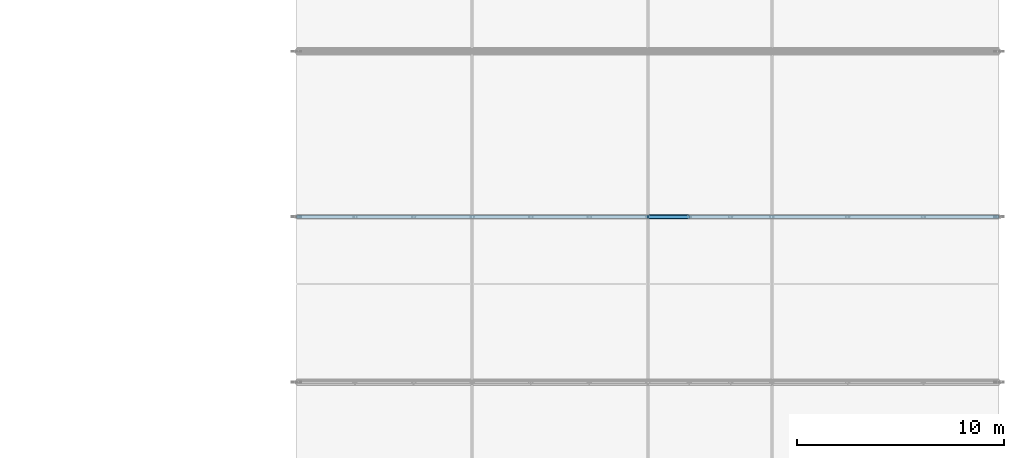
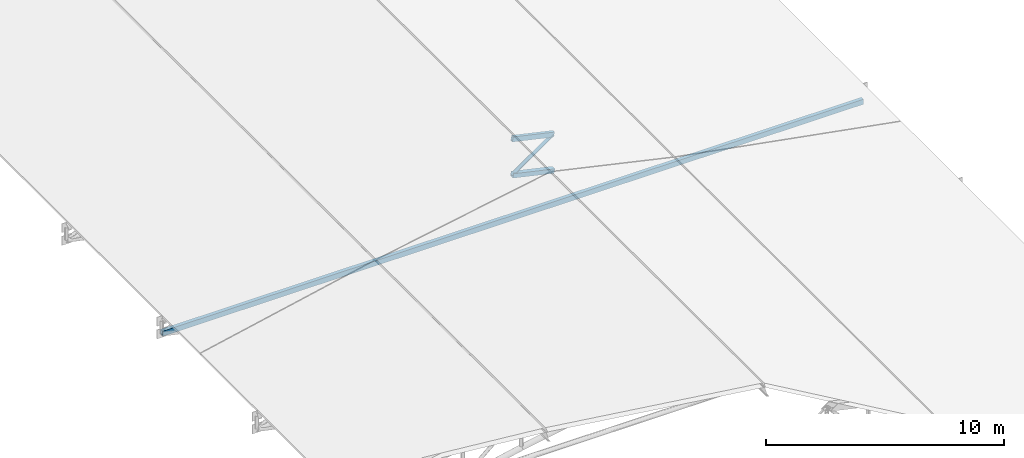
# One storey, part 11 of 28: 3 members, 1 beam.
"""IFC4 building model written with IfcOpenShell, lengths in metres."""

import ifcopenshell
import ifcopenshell.guid

model = None  # the IFC model being written
_history = None  # IfcOwnerHistory: only IFC2X3 demands one
_inside = {}  # id of a spatial element -> (the spatial element, [elements in it])
_under = {}  # id of a project, library or spatial element -> (it, [spatial elements below it])
_declared = {}  # id of a project -> (the project, [libraries it declares])
_typed = {}  # id of a type object -> (the type object, [elements of that type])
_made_of = {}  # id of a material, layer set ... -> (it, [elements and type objects made of it])


def new_model(schema):
    """Start an empty IFC model of exactly this schema.

    Asked for "IFC4X3", IfcOpenShell would pick the latest addendum, in which some entities
    have other attributes; the version numbers below select the first issue.
    IFC2X3 requires an IfcOwnerHistory on every rooted entity: one is made here for all.
    """
    global model, _history
    if schema == "IFC4X3":
        model = ifcopenshell.file(schema_version=(4, 3, 0, 0))
    else:
        model = ifcopenshell.file(schema=schema)
    _inside.clear()
    _under.clear()
    _declared.clear()
    _typed.clear()
    _made_of.clear()
    _history = None
    if model.schema == "IFC2X3":
        org = make("IfcOrganization", Name="unknown")
        user = make(
            "IfcPersonAndOrganization",
            ThePerson=make("IfcPerson", FamilyName="unknown"),
            TheOrganization=org,
        )
        app = make(
            "IfcApplication",
            ApplicationDeveloper=org,
            Version="unknown",
            ApplicationFullName="unknown",
            ApplicationIdentifier="unknown",
        )
        _history = make(
            "IfcOwnerHistory",
            OwningUser=user,
            OwningApplication=app,
            ChangeAction="ADDED",
            CreationDate=0,
        )
    return model


def make(cls, **values):
    """One entity of the class cls with the attributes given. An attribute that is None is left unset."""
    return model.create_entity(
        cls, **{name: value for name, value in values.items() if value is not None}
    )


def rooted(cls, **values):
    """An entity with a GlobalId (a new one), such as an element, a storey or a relation."""
    return make(cls, GlobalId=ifcopenshell.guid.new(), OwnerHistory=_history, **values)


def si_unit(unit_type, name, prefix=None):
    """IfcSIUnit, for example si_unit("LENGTHUNIT", "METRE", prefix="MILLI")."""
    return make("IfcSIUnit", UnitType=unit_type, Prefix=prefix, Name=name)


def assignment(units):
    """IfcUnitAssignment: the units of a project."""
    return None if units is None else make("IfcUnitAssignment", Units=units)


def point(xyz):
    """IfcCartesianPoint."""
    return None if xyz is None else make("IfcCartesianPoint", Coordinates=xyz)


def direction(xyz):
    """IfcDirection."""
    return None if xyz is None else make("IfcDirection", DirectionRatios=xyz)


def frame(location, z_axis=None, x_axis=None):
    """IfcAxis2Placement3D, a coordinate frame: its origin and axes. An axis left out is left unset."""
    return make(
        "IfcAxis2Placement3D",
        Location=point(location),
        Axis=direction(z_axis),
        RefDirection=direction(x_axis),
    )


def frame_2d(location, x_axis=None):
    """IfcAxis2Placement2D, a coordinate frame in the plane: its origin and x axis."""
    return make(
        "IfcAxis2Placement2D", Location=point(location), RefDirection=direction(x_axis)
    )


def origin():
    """The frame at (0, 0, 0) with its axes left unset."""
    return frame((0.0, 0.0, 0.0))


def origin_2d():
    """The frame at (0, 0) in the plane with its x axis left unset."""
    return frame_2d((0.0, 0.0))


def place(relative_to, where):
    """IfcLocalPlacement: puts the frame where relative to a parent placement (None: the world)."""
    return make(
        "IfcLocalPlacement", PlacementRelTo=relative_to, RelativePlacement=where
    )


def context(
    kind, dimensions, precision=None, world=None, true_north=None, identifier=None
):
    """IfcGeometricRepresentationContext, for example the 3D "Model" context."""
    return make(
        "IfcGeometricRepresentationContext",
        ContextIdentifier=identifier,
        ContextType=kind,
        CoordinateSpaceDimension=dimensions,
        Precision=precision,
        WorldCoordinateSystem=world,
        TrueNorth=true_north,
    )


def subcontext(parent, identifier, kind, view, scale=None):
    """IfcGeometricRepresentationSubContext, for example "Body" below "Model"."""
    return make(
        "IfcGeometricRepresentationSubContext",
        ContextIdentifier=identifier,
        ContextType=kind,
        ParentContext=parent,
        TargetScale=scale,
        TargetView=view,
    )


def project(units=None, contexts=None):
    """IfcProject with its units and contexts."""
    return rooted(
        "IfcProject",
        Name="project",
        RepresentationContexts=contexts,
        UnitsInContext=assignment(units),
    )


def spatial(cls, under=None, at=None, **own):
    """A site, building, storey or space (cls), placed at a placement, below another one or the project."""
    s = rooted(cls, ObjectPlacement=at, **own)
    if under is not None:
        _under.setdefault(under.id(), (under, []))[1].append(s)
    return s


def profile(cls, at=None, kind="AREA", **sizes):
    """A parametric profile (cls). Its sizes go by their IFC names, for example OverallWidth=200.0."""
    return make(cls, ProfileType=kind, Position=at, **sizes)


def hollow_rectangle(**sizes):
    """IfcRectangleHollowProfileDef."""
    return profile("IfcRectangleHollowProfileDef", **sizes)


def hollow_circle(**sizes):
    """IfcCircleHollowProfileDef."""
    return profile("IfcCircleHollowProfileDef", **sizes)


def extrude(swept, where, along, depth):
    """IfcExtrudedAreaSolid: the profile swept, set in the frame where, extruded along a direction by depth."""
    return make(
        "IfcExtrudedAreaSolid",
        SweptArea=swept,
        Position=where,
        ExtrudedDirection=direction(along),
        Depth=depth,
    )


def shape(context_of_items, identifier, shape_type, items):
    """IfcShapeRepresentation: the items that make up one representation, for example the "Body"."""
    return make(
        "IfcShapeRepresentation",
        ContextOfItems=context_of_items,
        RepresentationIdentifier=identifier,
        RepresentationType=shape_type,
        Items=items,
    )


def material(Name=None, Category=None):
    """IfcMaterial."""
    return make("IfcMaterial", Name=Name, Category=Category)


def material_profile(
    of_material, cross_section, Name=None, Category=None, Priority=None
):
    """IfcMaterialProfile: a cross section and its material."""
    return make(
        "IfcMaterialProfile",
        Name=Name,
        Material=of_material,
        Profile=cross_section,
        Priority=Priority,
        Category=Category,
    )


def profile_set(profiles, Name=None, composite=None):
    """IfcMaterialProfileSet."""
    return make(
        "IfcMaterialProfileSet",
        Name=Name,
        MaterialProfiles=profiles,
        CompositeProfile=composite,
    )


def made_of(thing, what):
    """Note that an element or type object is made of a material, layer set ...; save() writes the relation."""
    if what is not None:
        _made_of.setdefault(what.id(), (what, []))[1].append(thing)
    return thing


def type_object(cls, material=None, **own):
    """A type object (cls), such as IfcWallType, which elements share."""
    return made_of(rooted(cls, **own), material)


def element(
    cls,
    number,
    at=None,
    inside=None,
    cuts=None,
    type_object=None,
    material=None,
    context=None,
    identifier="Body",
    shape_type=None,
    held_by="IfcProductDefinitionShape",
    body=None,
    shapes=None,
    **own,
):
    """One element of the class cls, such as IfcWall. Its Tag is "e" and its number.

    at: its placement. inside: the storey or other place that contains it. cuts: it is an
    opening in that element (IfcRelVoidsElement). A single representation is given by context,
    identifier, shape_type and body (its items); several are given by shapes. held_by: the class
    of the entity that holds the representations. save() writes the other relations.
    """
    e = rooted(cls, Tag="e%d" % number, ObjectPlacement=at, **own)
    if body is not None:
        shapes = [shape(context, identifier, shape_type, body)]
    if shapes is not None:
        e.Representation = make(held_by, Representations=shapes)
    if inside is not None:
        _inside.setdefault(inside.id(), (inside, []))[1].append(e)
    if cuts is not None:
        rooted(
            "IfcRelVoidsElement", RelatingBuildingElement=cuts, RelatedOpeningElement=e
        )
    if type_object is not None:
        _typed.setdefault(type_object.id(), (type_object, []))[1].append(e)
    return made_of(e, material)


def aggregate(whole, parts):
    """IfcRelAggregates: a whole, such as a stair, and the parts it consists of."""
    return rooted("IfcRelAggregates", RelatingObject=whole, RelatedObjects=parts)


def save(model, path):
    """Write the relations noted so far, then the file.

    IfcRelAggregates (storeys below a building ...), IfcRelContainedInSpatialStructure (elements
    in a storey), IfcRelDefinesByType, IfcRelAssociatesMaterial and IfcRelDeclares: one each for
    every whole, place, type object, material and project.
    """
    for whole, parts in _under.values():
        aggregate(whole, parts)
    for where, things in _inside.values():
        rooted(
            "IfcRelContainedInSpatialStructure",
            RelatedElements=things,
            RelatingStructure=where,
        )
    for kind, things in _typed.values():
        rooted("IfcRelDefinesByType", RelatedObjects=things, RelatingType=kind)
    for what, things in _made_of.values():
        rooted("IfcRelAssociatesMaterial", RelatedObjects=things, RelatingMaterial=what)
    for by, libraries in _declared.values():
        rooted("IfcRelDeclares", RelatingContext=by, RelatedDefinitions=libraries)
    model.write(path)


model = new_model("IFC4")

# Units and contexts
model_context = context("Model", 3, precision=1e-05, world=origin(), true_north=direction((0.0, 1.0)))
body_context = subcontext(model_context, "Body", "Model", "MODEL_VIEW")
ifc_project = project(units=[si_unit("LENGTHUNIT", "METRE"), si_unit("AREAUNIT", "SQUARE_METRE"), si_unit("VOLUMEUNIT", "CUBIC_METRE"), si_unit("PLANEANGLEUNIT", "RADIAN"), si_unit("MASSUNIT", "GRAM", prefix="KILO"), si_unit("THERMODYNAMICTEMPERATUREUNIT", "KELVIN"), si_unit("POWERUNIT", "WATT")], contexts=[model_context])

# Site, building, storey
site_placement = place(None, origin())
site = spatial("IfcSite", under=ifc_project, at=site_placement, CompositionType="ELEMENT")
building_placement = place(site_placement, origin())
building = spatial("IfcBuilding", under=site, at=building_placement, Name="Tepalcoro Natatorium and Aquatics Centre", CompositionType="ELEMENT")
storey_placement = place(building_placement, frame((0.0, 0.0, 23.199951171875)))
storey = spatial("IfcBuildingStorey", under=building, at=storey_placement, Name="RF", CompositionType="ELEMENT", Elevation=23.199951171875)

# Beam
ifc_material = material(Name="Terracotta Painted Hollow Steel ASTM A500 Grade C (Fy 345 MPa)", Category="masonry")
ifc_material_profile_1 = material_profile(ifc_material, hollow_rectangle(XDim=0.14990234375, YDim=0.25, WallThickness=0.011962890625, at=origin_2d()), Name="HSS250X150X12")
ifc_profile_set_1 = profile_set([ifc_material_profile_1], Name="Terracotta Painted Hollow Steel ASTM A500 Grade C (Fy 345 MPa)")
beam_type = type_object("IfcBeamType", Name="AC_HSS250x150x12", PredefinedType="USERDEFINED", material=ifc_profile_set_1)
beam_placement = place(storey_placement, frame((159.0, 36.0, -0.22802734375), z_axis=(0.97561485681, 0.0, -0.21948952406), x_axis=(0.0, 1.0, 0.0)))
element("IfcBeam", 1, at=beam_placement, inside=storey, type_object=beam_type, Name="V2 Barrel-Arch Top Chord 5", ObjectType="ARCH CHORD", PredefinedType="USERDEFINED", context=body_context, shape_type="SweptSolid", body=[
    extrude(hollow_rectangle(XDim=0.14990234375, YDim=0.25, WallThickness=0.011962890625, at=origin_2d()), origin(), (0.0, 0.0, 1.0), 2.050048828125),
])

# Members
ifc_material_profile_2 = material_profile(ifc_material, hollow_rectangle(XDim=0.179931640625, YDim=0.260009765625, WallThickness=0.013916015625, at=origin_2d()), Name="HSS260X180X14")
ifc_profile_set_2 = profile_set([ifc_material_profile_2], Name="Terracotta Painted Hollow Steel ASTM A500 Grade C (Fy 345 MPa)")
member_type_1 = type_object("IfcMemberType", Name="MB_AT_HSS260x180x14", PredefinedType="USERDEFINED", material=ifc_profile_set_2)
member_1_placement = place(storey_placement, frame((142.0, 36.0, -4.238037109375), z_axis=(1.0, 0.0, 0.0), x_axis=(0.0, 1.0, 0.0)))
element("IfcMember", 2, at=member_1_placement, inside=storey, type_object=member_type_1, Name="V2 Barrel-Arch Tie 5", ObjectType="ARCH TIE", PredefinedType="USERDEFINED", context=body_context, shape_type="SweptSolid", body=[
    extrude(hollow_rectangle(XDim=0.179931640625, YDim=0.260009765625, WallThickness=0.013916015625, at=origin_2d()), origin(), (0.0, 0.0, 1.0), 34.0),
])
ifc_material_profile_3 = material_profile(ifc_material, hollow_rectangle(XDim=0.219970703125, YDim=0.219970703125, WallThickness=0.011962890625, at=origin_2d()), Name="HSS220X220X12")
ifc_profile_set_3 = profile_set([ifc_material_profile_3], Name="Terracotta Painted Hollow Steel ASTM A500 Grade C (Fy 345 MPa)")
member_type_2 = type_object("IfcMemberType", Name="MB_CH_HSS220x220x12", PredefinedType="CHORD", material=ifc_profile_set_3)
member_2_placement = place(storey_placement, frame((159.0, 36.0, -2.077880859375), z_axis=(0.97561485681, 0.0, -0.21948952406), x_axis=(0.0, 1.0, 0.0)))
element("IfcMember", 3, at=member_2_placement, inside=storey, type_object=member_type_2, Name="V2 Barrel-Arch Bottom Chord 5", PredefinedType="CHORD", context=body_context, shape_type="SweptSolid", body=[
    extrude(hollow_rectangle(XDim=0.219970703125, YDim=0.219970703125, WallThickness=0.011962890625, at=origin_2d()), origin(), (0.0, 0.0, 1.0), 2.050048828125),
])
ifc_material_profile_4 = material_profile(ifc_material, hollow_circle(Radius=0.083984375, WallThickness=0.011962890625, at=origin_2d()), Name="CHS168X12")
ifc_profile_set_4 = profile_set([ifc_material_profile_4], Name="Terracotta Painted Hollow Steel ASTM A500 Grade C (Fy 345 MPa)")
member_type_3 = type_object("IfcMemberType", Name="MB_ST_CHS168x12", PredefinedType="STRUT", material=ifc_profile_set_4)
member_3_placement = place(storey_placement, frame((159.0, 36.0, -2.077880859375), z_axis=(0.819250713189, 0.0, 0.573435496756), x_axis=(0.0, 1.0, 0.0)))
element("IfcMember", 4, at=member_3_placement, inside=storey, type_object=member_type_3, Name="V2 Barrel-Arch Web Diagonal 5", PredefinedType="STRUT", context=body_context, shape_type="SweptSolid", body=[
    extrude(hollow_circle(Radius=0.083984375, WallThickness=0.011962890625, at=origin_2d()), origin(), (0.0, 0.0, 1.0), 2.441162109375),
])

save(model, "model.ifc")
